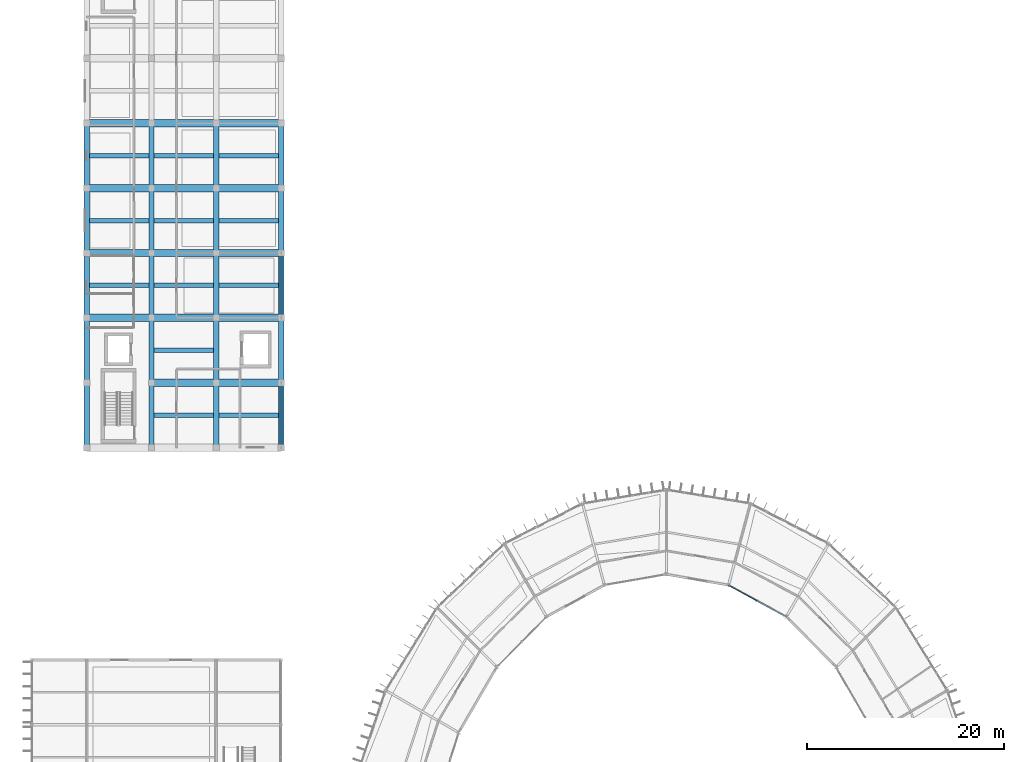
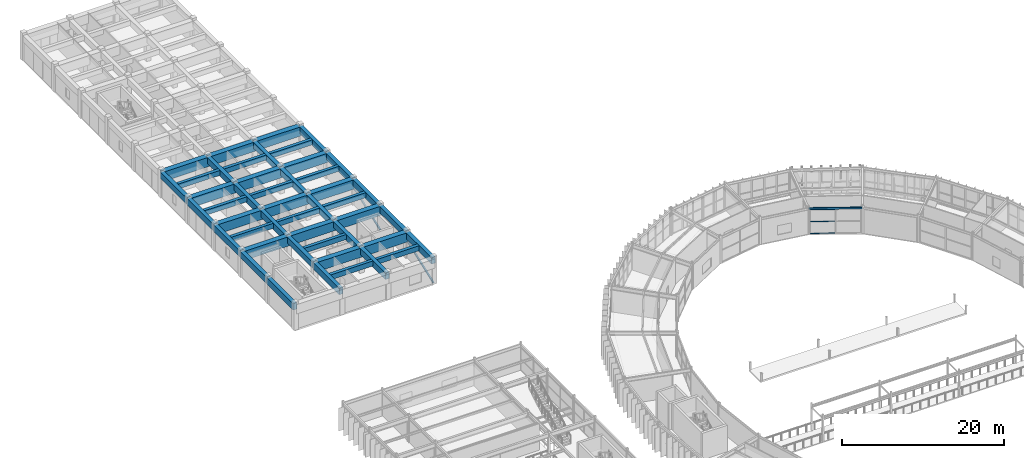
# One storey, part 80 of 147: 47 beams, 5 members, 1 element without a shape of its own.
"""IFC4 building model written with IfcOpenShell, lengths in metres."""

from ifc_helpers import new_model, si_unit, direction, frame, origin, origin_2d, place, context, subcontext, project, spatial, rectangle, hollow_rectangle, extrude, material, material_profile, profile_set, type_object, element, aggregate, save


model = new_model("IFC4")

# Units and contexts
model_context = context("Model", 3, precision=1e-05, world=origin(), true_north=direction((0.0, 1.0)))
body_context = subcontext(model_context, "Body", "Model", "MODEL_VIEW")
ifc_project = project(units=[si_unit("LENGTHUNIT", "METRE"), si_unit("AREAUNIT", "SQUARE_METRE"), si_unit("VOLUMEUNIT", "CUBIC_METRE"), si_unit("PLANEANGLEUNIT", "RADIAN"), si_unit("MASSUNIT", "GRAM", prefix="KILO")], contexts=[model_context])

# Site, building, storey
site_placement = place(None, origin())
site = spatial("IfcSite", under=ifc_project, at=site_placement, CompositionType="ELEMENT")
building_placement = place(site_placement, origin())
building = spatial("IfcBuilding", under=site, at=building_placement, Name="Karori Crest Natural Sciences Institute", CompositionType="ELEMENT")
storey_placement = place(building_placement, frame((0.0, 0.0, 9.10009765625)))
storey = spatial("IfcBuildingStorey", under=building, at=storey_placement, Name="L02", CompositionType="ELEMENT", Elevation=9.10009765625)

# Beams
ifc_material_1 = material(Name="Hollow structural steel AS/NZS 1163 Grade C350", Category="steel")
ifc_material_profile_1 = material_profile(ifc_material_1, hollow_rectangle(XDim=0.14990234375, YDim=0.25, WallThickness=0.009033203125, at=origin_2d()), Name="RHS250x150x9")
ifc_profile_set_1 = profile_set([ifc_material_profile_1], Name="Hollow structural steel AS/NZS 1163 Grade C350")
beam_type_1 = type_object("IfcBeamType", Name="BT-16", PredefinedType="SPANDREL", material=ifc_profile_set_1)
beam_1_placement = place(storey_placement, frame((78.60009765625, 77.785888671875, 3.789794921875), z_axis=(-0.877469531616, 0.47963238119, 0.0), x_axis=(-0.47963238119, -0.877469531616, 0.0)))
element("IfcBeam", 1, at=beam_1_placement, inside=storey, type_object=beam_type_1, Name="Beam B-0286", PredefinedType="SPANDREL", context=body_context, shape_type="SweptSolid", body=[
    extrude(hollow_rectangle(XDim=0.14990234375, YDim=0.25, WallThickness=0.009033203125, at=origin_2d()), origin(), (0.0, 0.0, 1.0), 6.706787109375),
])
ifc_material_2 = material(Name="Concrete 50 MPa", Category="concrete")
ifc_material_profile_2 = material_profile(ifc_material_2, rectangle(XDim=0.75, YDim=1.39990234375, at=origin_2d()), Name="RCB750x1400")
ifc_profile_set_2 = profile_set([ifc_material_profile_2], Name="Concrete 50 MPa")
beam_type_2 = type_object("IfcBeamType", Name="BT-17-IL", PredefinedType="BEAM", material=ifc_profile_set_2)
beam_2_placement = place(storey_placement, frame((14.0, 101.60009765625, 3.14990234375), z_axis=(1.0, 0.0, 0.0), x_axis=(0.0, 1.0, 0.0)))
element("IfcBeam", 2, at=beam_2_placement, inside=storey, type_object=beam_type_2, Name="Beam B-1554", PredefinedType="BEAM", context=body_context, shape_type="SweptSolid", body=[
    extrude(rectangle(XDim=0.75, YDim=1.39990234375, at=origin_2d()), origin(), (0.0, 0.0, 1.0), 6.60009765625),
])
beam_3_placement = place(storey_placement, frame((20.60009765625, 101.60009765625, 3.14990234375), z_axis=(1.0, 0.0, 0.0), x_axis=(0.0, 1.0, 0.0)))
element("IfcBeam", 3, at=beam_3_placement, inside=storey, type_object=beam_type_2, Name="Beam B-1555", PredefinedType="BEAM", context=body_context, shape_type="SweptSolid", body=[
    extrude(rectangle(XDim=0.75, YDim=1.39990234375, at=origin_2d()), origin(), (0.0, 0.0, 1.0), 6.599853515625),
])
for number, where, z_axis, x_axis, name in (
    (4, (7.39990234375, 108.199951171875, 3.14990234375), (1.0, 0.0, 0.0), (0.0, 1.0, 0.0), "Beam B-1556"),
    (5, (14.0, 108.199951171875, 3.14990234375), (1.0, 0.0, 0.0), (0.0, 1.0, 0.0), "Beam B-1557"),
):
    element("IfcBeam", number, at=place(storey_placement, frame(where, z_axis=z_axis, x_axis=x_axis)), inside=storey, type_object=beam_type_2, Name=name, PredefinedType="BEAM", context=body_context, shape_type="SweptSolid", body=[
        extrude(rectangle(XDim=0.75, YDim=1.39990234375, at=origin_2d()), origin(), (0.0, 0.0, 1.0), 6.60009765625),
    ])
beam_4_placement = place(storey_placement, frame((20.60009765625, 108.199951171875, 3.14990234375), z_axis=(1.0, 0.0, 0.0), x_axis=(0.0, 1.0, 0.0)))
element("IfcBeam", 6, at=beam_4_placement, inside=storey, type_object=beam_type_2, Name="Beam B-1558", PredefinedType="BEAM", context=body_context, shape_type="SweptSolid", body=[
    extrude(rectangle(XDim=0.75, YDim=1.39990234375, at=origin_2d()), origin(), (0.0, 0.0, 1.0), 6.599853515625),
])
for number, where, z_axis, x_axis, name in (
    (7, (7.39990234375, 114.800048828125, 3.14990234375), (1.0, 0.0, 0.0), (0.0, 1.0, 0.0), "Beam B-1559"),
    (8, (14.0, 114.800048828125, 3.14990234375), (1.0, 0.0, 0.0), (0.0, 1.0, 0.0), "Beam B-1560"),
):
    element("IfcBeam", number, at=place(storey_placement, frame(where, z_axis=z_axis, x_axis=x_axis)), inside=storey, type_object=beam_type_2, Name=name, PredefinedType="BEAM", context=body_context, shape_type="SweptSolid", body=[
        extrude(rectangle(XDim=0.75, YDim=1.39990234375, at=origin_2d()), origin(), (0.0, 0.0, 1.0), 6.60009765625),
    ])
beam_5_placement = place(storey_placement, frame((20.60009765625, 114.800048828125, 3.14990234375), z_axis=(1.0, 0.0, 0.0), x_axis=(0.0, 1.0, 0.0)))
element("IfcBeam", 9, at=beam_5_placement, inside=storey, type_object=beam_type_2, Name="Beam B-1561", PredefinedType="BEAM", context=body_context, shape_type="SweptSolid", body=[
    extrude(rectangle(XDim=0.75, YDim=1.39990234375, at=origin_2d()), origin(), (0.0, 0.0, 1.0), 6.599853515625),
])
for number, where, z_axis, x_axis, name in (
    (10, (7.39990234375, 121.39990234375, 3.14990234375), (1.0, 0.0, 0.0), (0.0, 1.0, 0.0), "Beam B-1562"),
    (11, (14.0, 121.39990234375, 3.14990234375), (1.0, 0.0, 0.0), (0.0, 1.0, 0.0), "Beam B-1563"),
):
    element("IfcBeam", number, at=place(storey_placement, frame(where, z_axis=z_axis, x_axis=x_axis)), inside=storey, type_object=beam_type_2, Name=name, PredefinedType="BEAM", context=body_context, shape_type="SweptSolid", body=[
        extrude(rectangle(XDim=0.75, YDim=1.39990234375, at=origin_2d()), origin(), (0.0, 0.0, 1.0), 6.60009765625),
    ])
beam_6_placement = place(storey_placement, frame((20.60009765625, 121.39990234375, 3.14990234375), z_axis=(1.0, 0.0, 0.0), x_axis=(0.0, 1.0, 0.0)))
element("IfcBeam", 12, at=beam_6_placement, inside=storey, type_object=beam_type_2, Name="Beam B-1564", PredefinedType="BEAM", context=body_context, shape_type="SweptSolid", body=[
    extrude(rectangle(XDim=0.75, YDim=1.39990234375, at=origin_2d()), origin(), (0.0, 0.0, 1.0), 6.599853515625),
])
for number, where, z_axis, x_axis, name in (
    (13, (7.39990234375, 128.0, 3.14990234375), (1.0, 0.0, 0.0), (0.0, 1.0, 0.0), "Beam B-1565"),
    (14, (14.0, 128.0, 3.14990234375), (1.0, 0.0, 0.0), (0.0, 1.0, 0.0), "Beam B-1566"),
):
    element("IfcBeam", number, at=place(storey_placement, frame(where, z_axis=z_axis, x_axis=x_axis)), inside=storey, type_object=beam_type_2, Name=name, PredefinedType="BEAM", context=body_context, shape_type="SweptSolid", body=[
        extrude(rectangle(XDim=0.75, YDim=1.39990234375, at=origin_2d()), origin(), (0.0, 0.0, 1.0), 6.60009765625),
    ])
beam_7_placement = place(storey_placement, frame((20.60009765625, 128.0, 3.14990234375), z_axis=(1.0, 0.0, 0.0), x_axis=(0.0, 1.0, 0.0)))
element("IfcBeam", 15, at=beam_7_placement, inside=storey, type_object=beam_type_2, Name="Beam B-1567", PredefinedType="BEAM", context=body_context, shape_type="SweptSolid", body=[
    extrude(rectangle(XDim=0.75, YDim=1.39990234375, at=origin_2d()), origin(), (0.0, 0.0, 1.0), 6.599853515625),
])
ifc_material_profile_3 = material_profile(ifc_material_2, rectangle(XDim=0.550048828125, YDim=0.949951171875, at=origin_2d()), Name="RCB550x950")
ifc_profile_set_3 = profile_set([ifc_material_profile_3], Name="Concrete 50 MPa")
beam_type_3 = type_object("IfcBeamType", Name="BT-34", PredefinedType="BEAM", material=ifc_profile_set_3)
beam_8_placement = place(storey_placement, frame((7.39990234375, 95.0, 3.375), z_axis=(0.0, 1.0, 0.0), x_axis=(-1.0, 0.0, 0.0)))
element("IfcBeam", 16, at=beam_8_placement, inside=storey, type_object=beam_type_3, Name="Beam B-1582", PredefinedType="BEAM", context=body_context, shape_type="SweptSolid", body=[
    extrude(rectangle(XDim=0.550048828125, YDim=0.949951171875, at=origin_2d()), origin(), (0.0, 0.0, 1.0), 6.60009765625),
])
beam_9_placement = place(storey_placement, frame((7.39990234375, 101.60009765625, 3.375), z_axis=(0.0, 1.0, 0.0), x_axis=(-1.0, 0.0, 0.0)))
element("IfcBeam", 17, at=beam_9_placement, inside=storey, type_object=beam_type_3, Name="Beam B-1583", PredefinedType="BEAM", context=body_context, shape_type="SweptSolid", body=[
    extrude(rectangle(XDim=0.550048828125, YDim=0.949951171875, at=origin_2d()), origin(), (0.0, 0.0, 1.0), 6.599853515625),
])
beam_10_placement = place(storey_placement, frame((7.39990234375, 108.199951171875, 3.375), z_axis=(0.0, 1.0, 0.0), x_axis=(-1.0, 0.0, 0.0)))
element("IfcBeam", 18, at=beam_10_placement, inside=storey, type_object=beam_type_3, Name="Beam B-1584", PredefinedType="BEAM", context=body_context, shape_type="SweptSolid", body=[
    extrude(rectangle(XDim=0.550048828125, YDim=0.949951171875, at=origin_2d()), origin(), (0.0, 0.0, 1.0), 6.60009765625),
])
beam_11_placement = place(storey_placement, frame((7.39990234375, 114.800048828125, 3.375), z_axis=(0.0, 1.0, 0.0), x_axis=(-1.0, 0.0, 0.0)))
element("IfcBeam", 19, at=beam_11_placement, inside=storey, type_object=beam_type_3, Name="Beam B-1585", PredefinedType="BEAM", context=body_context, shape_type="SweptSolid", body=[
    extrude(rectangle(XDim=0.550048828125, YDim=0.949951171875, at=origin_2d()), origin(), (0.0, 0.0, 1.0), 6.599853515625),
])
for number, where, z_axis, x_axis, name in (
    (20, (7.39990234375, 121.39990234375, 3.375), (0.0, 1.0, 0.0), (-1.0, 0.0, 0.0), "Beam B-1586"),
    (21, (27.199951171875, 95.0, 3.375), (0.0, 1.0, 0.0), (-1.0, 0.0, 0.0), "Beam B-1612"),
):
    element("IfcBeam", number, at=place(storey_placement, frame(where, z_axis=z_axis, x_axis=x_axis)), inside=storey, type_object=beam_type_3, Name=name, PredefinedType="BEAM", context=body_context, shape_type="SweptSolid", body=[
        extrude(rectangle(XDim=0.550048828125, YDim=0.949951171875, at=origin_2d()), origin(), (0.0, 0.0, 1.0), 6.60009765625),
    ])
beam_12_placement = place(storey_placement, frame((27.199951171875, 101.60009765625, 3.375), z_axis=(0.0, 1.0, 0.0), x_axis=(-1.0, 0.0, 0.0)))
element("IfcBeam", 22, at=beam_12_placement, inside=storey, type_object=beam_type_3, Name="Beam B-1613", PredefinedType="BEAM", context=body_context, shape_type="SweptSolid", body=[
    extrude(rectangle(XDim=0.550048828125, YDim=0.949951171875, at=origin_2d()), origin(), (0.0, 0.0, 1.0), 6.599853515625),
])
beam_13_placement = place(storey_placement, frame((27.199951171875, 108.199951171875, 3.375), z_axis=(0.0, 1.0, 0.0), x_axis=(-1.0, 0.0, 0.0)))
element("IfcBeam", 23, at=beam_13_placement, inside=storey, type_object=beam_type_3, Name="Beam B-1614", PredefinedType="BEAM", context=body_context, shape_type="SweptSolid", body=[
    extrude(rectangle(XDim=0.550048828125, YDim=0.949951171875, at=origin_2d()), origin(), (0.0, 0.0, 1.0), 6.60009765625),
])
beam_14_placement = place(storey_placement, frame((27.199951171875, 114.800048828125, 3.375), z_axis=(0.0, 1.0, 0.0), x_axis=(-1.0, 0.0, 0.0)))
element("IfcBeam", 24, at=beam_14_placement, inside=storey, type_object=beam_type_3, Name="Beam B-1615", PredefinedType="BEAM", context=body_context, shape_type="SweptSolid", body=[
    extrude(rectangle(XDim=0.550048828125, YDim=0.949951171875, at=origin_2d()), origin(), (0.0, 0.0, 1.0), 6.599853515625),
])
beam_15_placement = place(storey_placement, frame((27.199951171875, 121.39990234375, 3.375), z_axis=(0.0, 1.0, 0.0), x_axis=(-1.0, 0.0, 0.0)))
element("IfcBeam", 25, at=beam_15_placement, inside=storey, type_object=beam_type_3, Name="Beam B-1616", PredefinedType="BEAM", context=body_context, shape_type="SweptSolid", body=[
    extrude(rectangle(XDim=0.550048828125, YDim=0.949951171875, at=origin_2d()), origin(), (0.0, 0.0, 1.0), 6.60009765625),
])
ifc_material_profile_4 = material_profile(ifc_material_2, rectangle(XDim=0.550048828125, YDim=0.949951171875, at=origin_2d()), Name="RCB550x950")
ifc_profile_set_4 = profile_set([ifc_material_profile_4], Name="Concrete 50 MPa")
beam_type_4 = type_object("IfcBeamType", Name="BT-34-IL", PredefinedType="BEAM", material=ifc_profile_set_4)
beam_16_placement = place(storey_placement, frame((14.0, 95.0, 3.375), z_axis=(0.0, 1.0, 0.0), x_axis=(-1.0, 0.0, 0.0)))
element("IfcBeam", 26, at=beam_16_placement, inside=storey, type_object=beam_type_4, Name="Beam B-1592", PredefinedType="BEAM", context=body_context, shape_type="SweptSolid", body=[
    extrude(rectangle(XDim=0.550048828125, YDim=0.949951171875, at=origin_2d()), origin(), (0.0, 0.0, 1.0), 6.60009765625),
])
beam_17_placement = place(storey_placement, frame((14.0, 101.60009765625, 3.375), z_axis=(0.0, 1.0, 0.0), x_axis=(-1.0, 0.0, 0.0)))
element("IfcBeam", 27, at=beam_17_placement, inside=storey, type_object=beam_type_4, Name="Beam B-1593", PredefinedType="BEAM", context=body_context, shape_type="SweptSolid", body=[
    extrude(rectangle(XDim=0.550048828125, YDim=0.949951171875, at=origin_2d()), origin(), (0.0, 0.0, 1.0), 6.599853515625),
])
beam_18_placement = place(storey_placement, frame((14.0, 108.199951171875, 3.375), z_axis=(0.0, 1.0, 0.0), x_axis=(-1.0, 0.0, 0.0)))
element("IfcBeam", 28, at=beam_18_placement, inside=storey, type_object=beam_type_4, Name="Beam B-1594", PredefinedType="BEAM", context=body_context, shape_type="SweptSolid", body=[
    extrude(rectangle(XDim=0.550048828125, YDim=0.949951171875, at=origin_2d()), origin(), (0.0, 0.0, 1.0), 6.60009765625),
])
beam_19_placement = place(storey_placement, frame((14.0, 114.800048828125, 3.375), z_axis=(0.0, 1.0, 0.0), x_axis=(-1.0, 0.0, 0.0)))
element("IfcBeam", 29, at=beam_19_placement, inside=storey, type_object=beam_type_4, Name="Beam B-1595", PredefinedType="BEAM", context=body_context, shape_type="SweptSolid", body=[
    extrude(rectangle(XDim=0.550048828125, YDim=0.949951171875, at=origin_2d()), origin(), (0.0, 0.0, 1.0), 6.599853515625),
])
for number, where, z_axis, x_axis, name in (
    (30, (14.0, 121.39990234375, 3.375), (0.0, 1.0, 0.0), (-1.0, 0.0, 0.0), "Beam B-1596"),
    (31, (20.60009765625, 95.0, 3.375), (0.0, 1.0, 0.0), (-1.0, 0.0, 0.0), "Beam B-1602"),
):
    element("IfcBeam", number, at=place(storey_placement, frame(where, z_axis=z_axis, x_axis=x_axis)), inside=storey, type_object=beam_type_4, Name=name, PredefinedType="BEAM", context=body_context, shape_type="SweptSolid", body=[
        extrude(rectangle(XDim=0.550048828125, YDim=0.949951171875, at=origin_2d()), origin(), (0.0, 0.0, 1.0), 6.60009765625),
    ])
beam_20_placement = place(storey_placement, frame((20.60009765625, 101.60009765625, 3.375), z_axis=(0.0, 1.0, 0.0), x_axis=(-1.0, 0.0, 0.0)))
element("IfcBeam", 32, at=beam_20_placement, inside=storey, type_object=beam_type_4, Name="Beam B-1603", PredefinedType="BEAM", context=body_context, shape_type="SweptSolid", body=[
    extrude(rectangle(XDim=0.550048828125, YDim=0.949951171875, at=origin_2d()), origin(), (0.0, 0.0, 1.0), 6.599853515625),
])
beam_21_placement = place(storey_placement, frame((20.60009765625, 108.199951171875, 3.375), z_axis=(0.0, 1.0, 0.0), x_axis=(-1.0, 0.0, 0.0)))
element("IfcBeam", 33, at=beam_21_placement, inside=storey, type_object=beam_type_4, Name="Beam B-1604", PredefinedType="BEAM", context=body_context, shape_type="SweptSolid", body=[
    extrude(rectangle(XDim=0.550048828125, YDim=0.949951171875, at=origin_2d()), origin(), (0.0, 0.0, 1.0), 6.60009765625),
])
beam_22_placement = place(storey_placement, frame((20.60009765625, 114.800048828125, 3.375), z_axis=(0.0, 1.0, 0.0), x_axis=(-1.0, 0.0, 0.0)))
element("IfcBeam", 34, at=beam_22_placement, inside=storey, type_object=beam_type_4, Name="Beam B-1605", PredefinedType="BEAM", context=body_context, shape_type="SweptSolid", body=[
    extrude(rectangle(XDim=0.550048828125, YDim=0.949951171875, at=origin_2d()), origin(), (0.0, 0.0, 1.0), 6.599853515625),
])
beam_23_placement = place(storey_placement, frame((20.60009765625, 121.39990234375, 3.375), z_axis=(0.0, 1.0, 0.0), x_axis=(-1.0, 0.0, 0.0)))
element("IfcBeam", 35, at=beam_23_placement, inside=storey, type_object=beam_type_4, Name="Beam B-1606", PredefinedType="BEAM", context=body_context, shape_type="SweptSolid", body=[
    extrude(rectangle(XDim=0.550048828125, YDim=0.949951171875, at=origin_2d()), origin(), (0.0, 0.0, 1.0), 6.60009765625),
])
ifc_material_profile_5 = material_profile(ifc_material_2, rectangle(XDim=0.449951171875, YDim=0.75, at=origin_2d()), Name="RCB450x750")
ifc_profile_set_5 = profile_set([ifc_material_profile_5], Name="Concrete 50 MPa")
beam_type_5 = type_object("IfcBeamType", Name="BT-35", PredefinedType="BEAM", material=ifc_profile_set_5)
for number, where, z_axis, x_axis, name in (
    (36, (7.675048828125, 111.5, 3.474853515625), (1.0, 0.0, 0.0), (0.0, 1.0, 0.0), "Beam B-1622"),
    (37, (7.675048828125, 118.10009765625, 3.474853515625), (1.0, 0.0, 0.0), (0.0, 1.0, 0.0), "Beam B-1623"),
    (38, (7.675048828125, 124.699951171875, 3.474853515625), (1.0, 0.0, 0.0), (0.0, 1.0, 0.0), "Beam B-1624"),
    (39, (14.27490234375, 98.300048828125, 3.474853515625), (1.0, 0.0, 0.0), (0.0, 1.0, 0.0), "Beam B-1629"),
    (40, (14.27490234375, 104.89990234375, 3.474853515625), (1.0, 0.0, 0.0), (0.0, 1.0, 0.0), "Beam B-1630"),
    (41, (14.27490234375, 111.5, 3.474853515625), (1.0, 0.0, 0.0), (0.0, 1.0, 0.0), "Beam B-1631"),
    (42, (14.27490234375, 118.10009765625, 3.474853515625), (1.0, 0.0, 0.0), (0.0, 1.0, 0.0), "Beam B-1632"),
    (43, (14.27490234375, 124.699951171875, 3.474853515625), (1.0, 0.0, 0.0), (0.0, 1.0, 0.0), "Beam B-1633"),
    (44, (20.875, 98.300048828125, 3.474853515625), (1.0, 0.0, 0.0), (0.0, 1.0, 0.0), "Beam B-1639"),
    (45, (20.875, 111.5, 3.474853515625), (1.0, 0.0, 0.0), (0.0, 1.0, 0.0), "Beam B-1640"),
    (46, (20.875, 118.10009765625, 3.474853515625), (1.0, 0.0, 0.0), (0.0, 1.0, 0.0), "Beam B-1641"),
    (47, (20.875, 124.699951171875, 3.474853515625), (1.0, 0.0, 0.0), (0.0, 1.0, 0.0), "Beam B-1642"),
):
    element("IfcBeam", number, at=place(storey_placement, frame(where, z_axis=z_axis, x_axis=x_axis)), inside=storey, type_object=beam_type_5, Name=name, PredefinedType="BEAM", context=body_context, shape_type="SweptSolid", body=[
        extrude(rectangle(XDim=0.449951171875, YDim=0.75, at=origin_2d()), origin(), (0.0, 0.0, 1.0), 6.050048828125),
    ])

# Curtain wall, members
ifc_material_3 = material(Name="Anodised architectural aluminium 6063-T6", Category="aluminium")
curtain_wall_type = type_object("IfcCurtainWallType", Name="CWT-15", PredefinedType="NOTDEFINED", material=ifc_material_3)
curtain_wall_placement = place(storey_placement, origin())
curtain_wall = element("IfcCurtainWall", 48, at=curtain_wall_placement, inside=storey, type_object=curtain_wall_type, Name="Curtain wall CW-0072", PredefinedType="NOTDEFINED")
ifc_material_profile_6 = material_profile(ifc_material_3, hollow_rectangle(XDim=0.06005859375, YDim=0.1201171875, WallThickness=0.00390625, at=origin_2d()), Name="CWT120x60x4")
ifc_profile_set_6 = profile_set([ifc_material_profile_6], Name="Anodised architectural aluminium 6063-T6")
member_type_1 = type_object("IfcMemberType", Name="CWT-TR1", PredefinedType="USERDEFINED", material=ifc_profile_set_6)
member_1_placement = place(storey_placement, frame((75.61279296875, 79.4189453125, 0.02978515625), z_axis=(-0.877462212151, 0.479645771635, 0.0), x_axis=(-0.479645771635, -0.877462212151, 0.0)))
member_1 = element("IfcMember", 49, at=member_1_placement, type_object=member_type_1, Name="CW-0072 transom 2.1", ObjectType="TRANSOM", PredefinedType="USERDEFINED", context=body_context, shape_type="SweptSolid", body=[
    extrude(hollow_rectangle(XDim=0.06005859375, YDim=0.1201171875, WallThickness=0.00390625, at=origin_2d()), origin(), (0.0, 0.0, 1.0), 3.102783203125),
])
member_2_placement = place(storey_placement, frame((75.61279296875, 79.4189453125, 1.824951171875), z_axis=(-0.877462212151, 0.479645771635, 0.0), x_axis=(-0.479645771635, -0.877462212151, 0.0)))
member_2 = element("IfcMember", 50, at=member_2_placement, type_object=member_type_1, Name="CW-0072 transom 2.2", ObjectType="TRANSOM", PredefinedType="USERDEFINED", context=body_context, shape_type="SweptSolid", body=[
    extrude(hollow_rectangle(XDim=0.06005859375, YDim=0.1201171875, WallThickness=0.00390625, at=origin_2d()), origin(), (0.0, 0.0, 1.0), 3.102783203125),
])
member_3_placement = place(storey_placement, frame((75.61279296875, 79.4189453125, 3.619873046875), z_axis=(-0.877462212151, 0.479645771635, 0.0), x_axis=(-0.479645771635, -0.877462212151, 0.0)))
member_3 = element("IfcMember", 51, at=member_3_placement, type_object=member_type_1, Name="CW-0072 transom 2.3", ObjectType="TRANSOM", PredefinedType="USERDEFINED", context=body_context, shape_type="SweptSolid", body=[
    extrude(hollow_rectangle(XDim=0.06005859375, YDim=0.1201171875, WallThickness=0.00390625, at=origin_2d()), origin(), (0.0, 0.0, 1.0), 3.102783203125),
])
aggregate(curtain_wall, [member_1, member_2, member_3])

# Members
ifc_material_profile_7 = material_profile(ifc_material_1, hollow_rectangle(XDim=0.199951171875, YDim=0.199951171875, WallThickness=0.010009765625, at=origin_2d()), Name="SHS200x200x10")
ifc_profile_set_7 = profile_set([ifc_material_profile_7], Name="Hollow structural steel AS/NZS 1163 Grade C350")
member_type_2 = type_object("IfcMemberType", Name="MT-04", PredefinedType="BRACE", material=ifc_profile_set_7)
for number, where, z_axis, x_axis, name in (
    (52, (27.199951171875, 95.0, 0.010009765625), (0.0, 0.937495430674, 0.347997582556), (-1.0, 0.0, 0.0), "Diagonal Brace M-0430"),
    (53, (27.199951171875, 108.199951171875, 0.010009765625), (0.0, 0.937495430674, 0.347997582556), (-1.0, 0.0, 0.0), "Diagonal Brace M-0431"),
):
    element("IfcMember", number, at=place(storey_placement, frame(where, z_axis=z_axis, x_axis=x_axis)), inside=storey, type_object=member_type_2, Name=name, PredefinedType="BRACE", context=body_context, shape_type="SweptSolid", body=[
        extrude(hollow_rectangle(XDim=0.199951171875, YDim=0.199951171875, WallThickness=0.010009765625, at=origin_2d()), origin(), (0.0, 0.0, 1.0), 7.0400390625),
    ])

save(model, "model.ifc")
